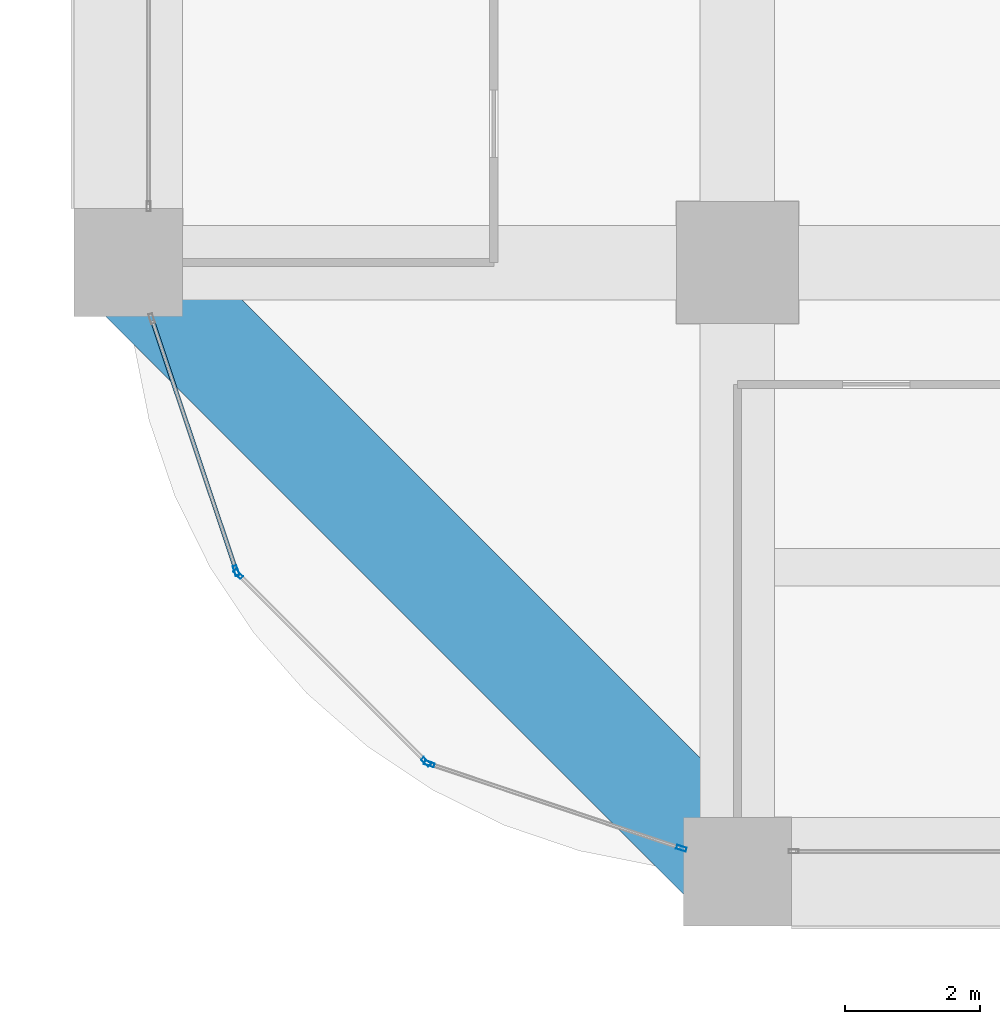
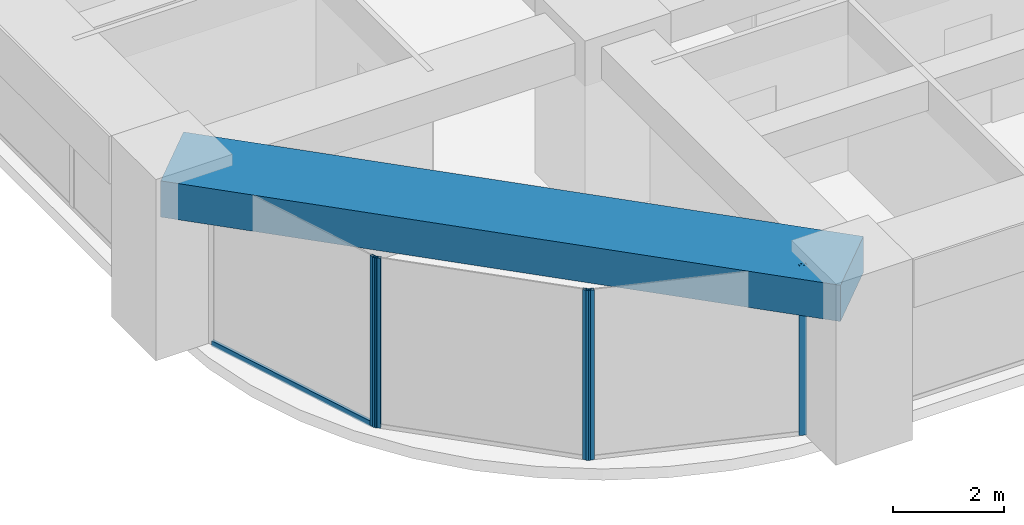
# One storey, part 2 of 36: 6 members, 1 beam, 3 elements without a shape of their own.
"""IFC4 building model written with IfcOpenShell, lengths in metres."""

from ifc_helpers import new_model, si_unit, direction, frame, origin, origin_2d, place, context, subcontext, project, spatial, rectangle, hollow_rectangle, extrude, material, material_profile, profile_set, type_object, element, aggregate, save


model = new_model("IFC4")

# Units and contexts
model_context = context("Model", 3, precision=1e-05, world=origin(), true_north=direction((0.0, 1.0)))
body_context = subcontext(model_context, "Body", "Model", "MODEL_VIEW")
ifc_project = project(units=[si_unit("LENGTHUNIT", "METRE"), si_unit("AREAUNIT", "SQUARE_METRE"), si_unit("VOLUMEUNIT", "CUBIC_METRE"), si_unit("PLANEANGLEUNIT", "RADIAN"), si_unit("MASSUNIT", "GRAM", prefix="KILO")], contexts=[model_context])

# Site, building, storey
site_placement = place(None, origin())
site = spatial("IfcSite", under=ifc_project, at=site_placement, CompositionType="ELEMENT")
building_placement = place(site_placement, origin())
building = spatial("IfcBuilding", under=site, at=building_placement, Name="Zorevar Civic Tower", CompositionType="ELEMENT")
storey_placement = place(building_placement, frame((0.0, 0.0, 166.199951171875)))
storey = spatial("IfcBuildingStorey", under=building, at=storey_placement, Name="L40", CompositionType="ELEMENT", Elevation=166.199951171875)

# Curtain wall, member
ifc_material_1 = material(Name="Dark grey solar-control glass in black aluminium frame", Category="aluminium")
curtain_wall_type = type_object("IfcCurtainWallType", Name="Curtain wall CW4 high zone", PredefinedType="NOTDEFINED", material=ifc_material_1)
curtain_wall_1_placement = place(storey_placement, origin())
curtain_wall_1 = element("IfcCurtainWall", 1, at=curtain_wall_1_placement, inside=storey, type_object=curtain_wall_type, Name="CW4 L40", PredefinedType="NOTDEFINED")
ifc_material_2 = material(Name="Aluminium, black anodised", Category="aluminium")
ifc_material_profile_1 = material_profile(ifc_material_2, hollow_rectangle(XDim=0.06005859375, YDim=0.14990234375, WallThickness=0.00390625, at=origin_2d()), Name="AL 150x60x4")
ifc_profile_set_1 = profile_set([ifc_material_profile_1], Name="Aluminium, black anodised")
member_type_1 = type_object("IfcMemberType", Name="CW4 mullion AL 150x60x4", PredefinedType="MULLION", material=ifc_profile_set_1)
member_1_placement = place(storey_placement, frame((1.59326171875, 4.44921875, 0.0), z_axis=(0.0, 0.0, 1.0), x_axis=(0.948227238701, 0.317592669603, 0.0)))
member_1 = element("IfcMember", 2, at=member_1_placement, type_object=member_type_1, Name="CW4 mullion 2", PredefinedType="MULLION", context=body_context, shape_type="SweptSolid", body=[
    extrude(hollow_rectangle(XDim=0.06005859375, YDim=0.14990234375, WallThickness=0.00390625, at=origin_2d()), origin(), (0.0, 0.0, 1.0), 3.75),
])

# Curtain wall, members
curtain_wall_2_placement = place(storey_placement, origin())
curtain_wall_2 = element("IfcCurtainWall", 3, at=curtain_wall_2_placement, inside=storey, type_object=curtain_wall_type, Name="CW4 L40", PredefinedType="NOTDEFINED")
member_2_placement = place(storey_placement, frame((1.6240234375, 4.399658203125, 0.0), z_axis=(0.0, 0.0, 1.0), x_axis=(0.707106781187, 0.707106781187, 0.0)))
member_2 = element("IfcMember", 4, at=member_2_placement, type_object=member_type_1, Name="CW4 mullion 1", PredefinedType="MULLION", context=body_context, shape_type="SweptSolid", body=[
    extrude(hollow_rectangle(XDim=0.06005859375, YDim=0.14990234375, WallThickness=0.00390625, at=origin_2d()), origin(), (0.0, 0.0, 1.0), 3.75),
])
member_3_placement = place(storey_placement, frame((4.399658203125, 1.6240234375, 0.0), z_axis=(0.0, 0.0, 1.0), x_axis=(0.707106781187, 0.707106781187, 0.0)))
member_3 = element("IfcMember", 5, at=member_3_placement, type_object=member_type_1, Name="CW4 mullion 2", PredefinedType="MULLION", context=body_context, shape_type="SweptSolid", body=[
    extrude(hollow_rectangle(XDim=0.06005859375, YDim=0.14990234375, WallThickness=0.00390625, at=origin_2d()), origin(), (0.0, 0.0, 1.0), 3.75),
])
aggregate(curtain_wall_2, [member_2, member_3])

curtain_wall_3_placement = place(storey_placement, origin())
curtain_wall_3 = element("IfcCurtainWall", 6, at=curtain_wall_3_placement, inside=storey, type_object=curtain_wall_type, Name="CW4 L40", PredefinedType="NOTDEFINED")
member_4_placement = place(storey_placement, frame((4.44921875, 1.59326171875, 0.0), z_axis=(0.0, 0.0, 1.0), x_axis=(0.317592669603, 0.948227238701, 0.0)))
member_4 = element("IfcMember", 7, at=member_4_placement, type_object=member_type_1, Name="CW4 mullion 1", PredefinedType="MULLION", context=body_context, shape_type="SweptSolid", body=[
    extrude(hollow_rectangle(XDim=0.06005859375, YDim=0.14990234375, WallThickness=0.00390625, at=origin_2d()), origin(), (0.0, 0.0, 1.0), 3.75),
])
member_5_placement = place(storey_placement, frame((8.171630859375, 0.346435546875, 0.0), z_axis=(0.0, 0.0, 1.0), x_axis=(0.317592669603, 0.948227238701, 0.0)))
member_5 = element("IfcMember", 8, at=member_5_placement, type_object=member_type_1, Name="CW4 mullion 2", PredefinedType="MULLION", context=body_context, shape_type="SweptSolid", body=[
    extrude(hollow_rectangle(XDim=0.06005859375, YDim=0.14990234375, WallThickness=0.00390625, at=origin_2d()), origin(), (0.0, 0.0, 1.0), 3.75),
])
aggregate(curtain_wall_3, [member_4, member_5])

# Member
ifc_material_3 = material(Name="Aluminium, black anodised", Category="aluminium")
ifc_material_profile_2 = material_profile(ifc_material_3, hollow_rectangle(XDim=0.06005859375, YDim=0.1201171875, WallThickness=0.0029296875, at=origin_2d()), Name="AL 120x60x3")
ifc_profile_set_2 = profile_set([ifc_material_profile_2], Name="Aluminium, black anodised")
member_type_2 = type_object("IfcMemberType", Name="CW4 transom AL 120x60x3", PredefinedType="USERDEFINED", material=ifc_profile_set_2)
member_6_placement = place(storey_placement, frame((0.35595703125, 8.14306640625, 0.030029296875), z_axis=(0.317629563458, -0.94821488093, 0.0), x_axis=(0.94821488093, 0.317629563458, 0.0)))
member_6 = element("IfcMember", 9, at=member_6_placement, type_object=member_type_2, Name="CW4 sill transom", ObjectType="TRANSOM", PredefinedType="USERDEFINED", context=body_context, shape_type="SweptSolid", body=[
    extrude(hollow_rectangle(XDim=0.06005859375, YDim=0.1201171875, WallThickness=0.0029296875, at=origin_2d()), origin(), (0.0, 0.0, 1.0), 3.865478515625),
])

aggregate(curtain_wall_1, [member_1, member_6])

# Beam
ifc_material_4 = material(Name="Concrete C50/60", Category="concrete")
ifc_material_profile_3 = material_profile(ifc_material_4, rectangle(XDim=1.60009765625, YDim=0.800048828125, at=origin_2d()), Name="RC 1600x800")
ifc_profile_set_3 = profile_set([ifc_material_profile_3], Name="Concrete C50/60")
beam_type = type_object("IfcBeamType", Name="Edge beam RC 1600x800", PredefinedType="SPANDREL", material=ifc_profile_set_3)
beam_placement = place(storey_placement, frame((0.0, 9.0, 3.35009765625), z_axis=(0.707106781187, -0.707106781187, 0.0), x_axis=(0.707106781187, 0.707106781187, 0.0)))
element("IfcBeam", 10, at=beam_placement, inside=storey, type_object=beam_type, Name="Corner edge beam L41", PredefinedType="SPANDREL", context=body_context, shape_type="SweptSolid", body=[
    extrude(rectangle(XDim=1.60009765625, YDim=0.800048828125, at=origin_2d()), origin(), (0.0, 0.0, 1.0), 12.72802734375),
])

save(model, "model.ifc")
